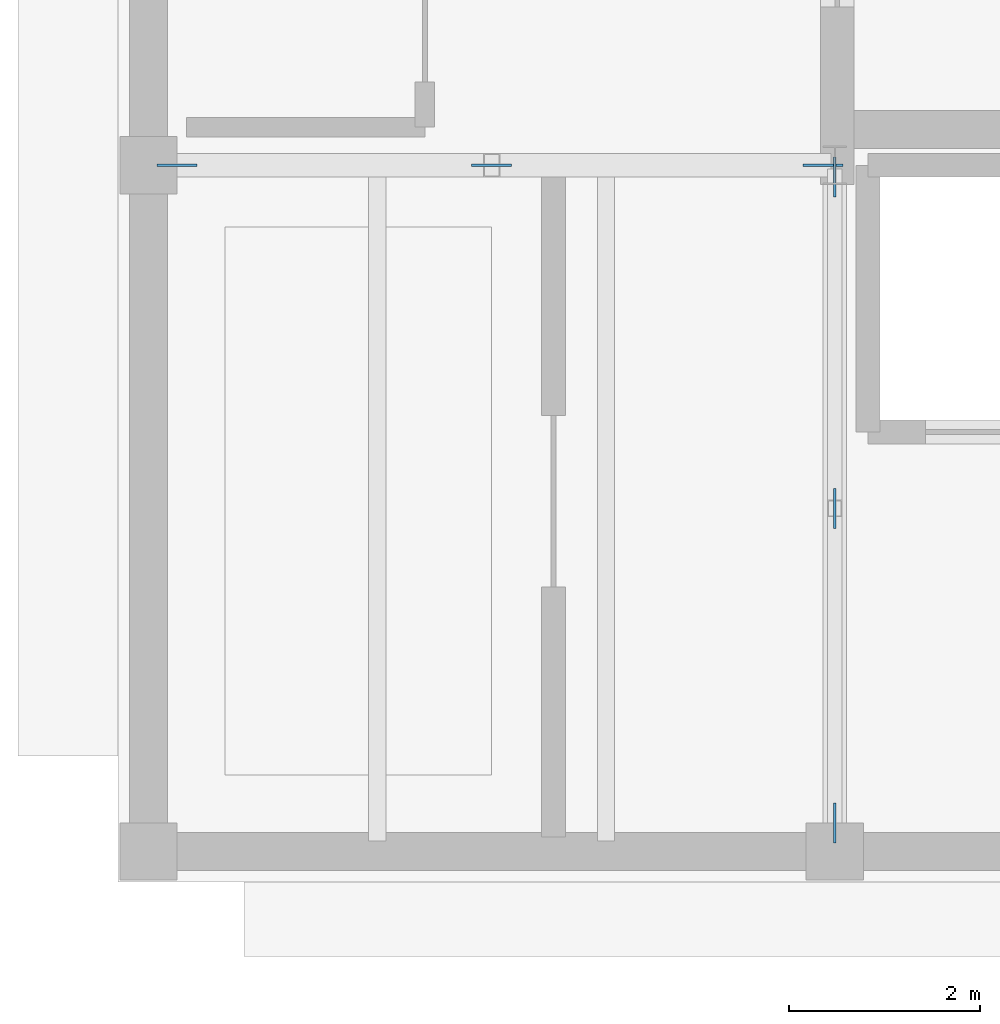
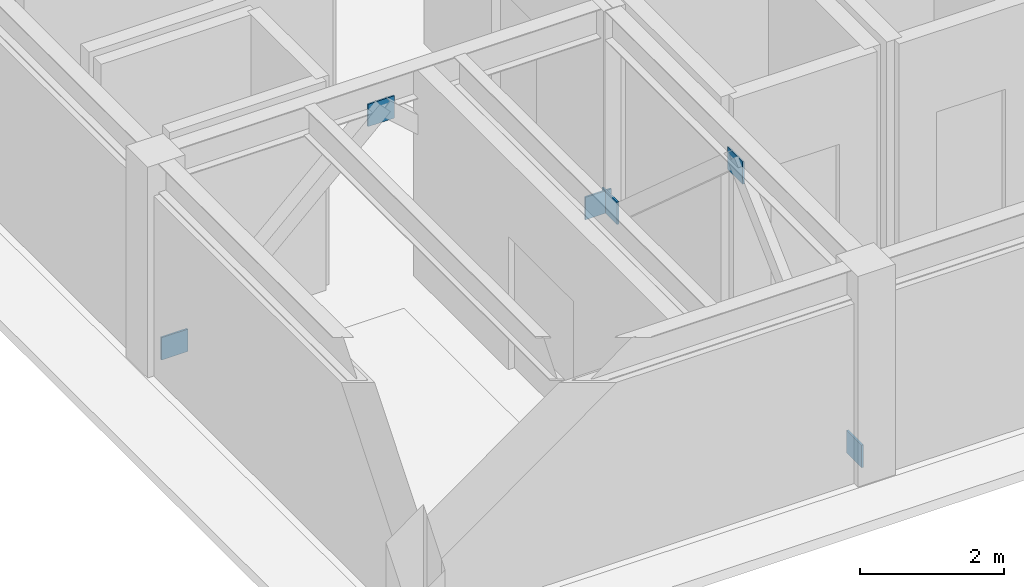
# One storey, part 6 of 8: 6 discrete accessories.
"""IFC4 building model written with IfcOpenShell, lengths in metres."""

import ifcopenshell
import ifcopenshell.guid

model = None  # the IFC model being written
_history = None  # IfcOwnerHistory: only IFC2X3 demands one
_inside = {}  # id of a spatial element -> (the spatial element, [elements in it])
_under = {}  # id of a project, library or spatial element -> (it, [spatial elements below it])
_declared = {}  # id of a project -> (the project, [libraries it declares])
_typed = {}  # id of a type object -> (the type object, [elements of that type])
_made_of = {}  # id of a material, layer set ... -> (it, [elements and type objects made of it])


def new_model(schema):
    """Start an empty IFC model of exactly this schema.

    Asked for "IFC4X3", IfcOpenShell would pick the latest addendum, in which some entities
    have other attributes; the version numbers below select the first issue.
    IFC2X3 requires an IfcOwnerHistory on every rooted entity: one is made here for all.
    """
    global model, _history
    if schema == "IFC4X3":
        model = ifcopenshell.file(schema_version=(4, 3, 0, 0))
    else:
        model = ifcopenshell.file(schema=schema)
    _inside.clear()
    _under.clear()
    _declared.clear()
    _typed.clear()
    _made_of.clear()
    _history = None
    if model.schema == "IFC2X3":
        org = make("IfcOrganization", Name="unknown")
        user = make(
            "IfcPersonAndOrganization",
            ThePerson=make("IfcPerson", FamilyName="unknown"),
            TheOrganization=org,
        )
        app = make(
            "IfcApplication",
            ApplicationDeveloper=org,
            Version="unknown",
            ApplicationFullName="unknown",
            ApplicationIdentifier="unknown",
        )
        _history = make(
            "IfcOwnerHistory",
            OwningUser=user,
            OwningApplication=app,
            ChangeAction="ADDED",
            CreationDate=0,
        )
    return model


def make(cls, **values):
    """One entity of the class cls with the attributes given. An attribute that is None is left unset."""
    return model.create_entity(
        cls, **{name: value for name, value in values.items() if value is not None}
    )


def rooted(cls, **values):
    """An entity with a GlobalId (a new one), such as an element, a storey or a relation."""
    return make(cls, GlobalId=ifcopenshell.guid.new(), OwnerHistory=_history, **values)


def si_unit(unit_type, name, prefix=None):
    """IfcSIUnit, for example si_unit("LENGTHUNIT", "METRE", prefix="MILLI")."""
    return make("IfcSIUnit", UnitType=unit_type, Prefix=prefix, Name=name)


def assignment(units):
    """IfcUnitAssignment: the units of a project."""
    return None if units is None else make("IfcUnitAssignment", Units=units)


def point(xyz):
    """IfcCartesianPoint."""
    return None if xyz is None else make("IfcCartesianPoint", Coordinates=xyz)


def direction(xyz):
    """IfcDirection."""
    return None if xyz is None else make("IfcDirection", DirectionRatios=xyz)


def frame(location, z_axis=None, x_axis=None):
    """IfcAxis2Placement3D, a coordinate frame: its origin and axes. An axis left out is left unset."""
    return make(
        "IfcAxis2Placement3D",
        Location=point(location),
        Axis=direction(z_axis),
        RefDirection=direction(x_axis),
    )


def frame_2d(location, x_axis=None):
    """IfcAxis2Placement2D, a coordinate frame in the plane: its origin and x axis."""
    return make(
        "IfcAxis2Placement2D", Location=point(location), RefDirection=direction(x_axis)
    )


def origin():
    """The frame at (0, 0, 0) with its axes left unset."""
    return frame((0.0, 0.0, 0.0))


def origin_2d():
    """The frame at (0, 0) in the plane with its x axis left unset."""
    return frame_2d((0.0, 0.0))


def place(relative_to, where):
    """IfcLocalPlacement: puts the frame where relative to a parent placement (None: the world)."""
    return make(
        "IfcLocalPlacement", PlacementRelTo=relative_to, RelativePlacement=where
    )


def context(
    kind, dimensions, precision=None, world=None, true_north=None, identifier=None
):
    """IfcGeometricRepresentationContext, for example the 3D "Model" context."""
    return make(
        "IfcGeometricRepresentationContext",
        ContextIdentifier=identifier,
        ContextType=kind,
        CoordinateSpaceDimension=dimensions,
        Precision=precision,
        WorldCoordinateSystem=world,
        TrueNorth=true_north,
    )


def subcontext(parent, identifier, kind, view, scale=None):
    """IfcGeometricRepresentationSubContext, for example "Body" below "Model"."""
    return make(
        "IfcGeometricRepresentationSubContext",
        ContextIdentifier=identifier,
        ContextType=kind,
        ParentContext=parent,
        TargetScale=scale,
        TargetView=view,
    )


def project(units=None, contexts=None):
    """IfcProject with its units and contexts."""
    return rooted(
        "IfcProject",
        Name="project",
        RepresentationContexts=contexts,
        UnitsInContext=assignment(units),
    )


def spatial(cls, under=None, at=None, **own):
    """A site, building, storey or space (cls), placed at a placement, below another one or the project."""
    s = rooted(cls, ObjectPlacement=at, **own)
    if under is not None:
        _under.setdefault(under.id(), (under, []))[1].append(s)
    return s


def profile(cls, at=None, kind="AREA", **sizes):
    """A parametric profile (cls). Its sizes go by their IFC names, for example OverallWidth=200.0."""
    return make(cls, ProfileType=kind, Position=at, **sizes)


def rectangle(**sizes):
    """IfcRectangleProfileDef."""
    return profile("IfcRectangleProfileDef", **sizes)


def extrude(swept, where, along, depth):
    """IfcExtrudedAreaSolid: the profile swept, set in the frame where, extruded along a direction by depth."""
    return make(
        "IfcExtrudedAreaSolid",
        SweptArea=swept,
        Position=where,
        ExtrudedDirection=direction(along),
        Depth=depth,
    )


def shape(context_of_items, identifier, shape_type, items):
    """IfcShapeRepresentation: the items that make up one representation, for example the "Body"."""
    return make(
        "IfcShapeRepresentation",
        ContextOfItems=context_of_items,
        RepresentationIdentifier=identifier,
        RepresentationType=shape_type,
        Items=items,
    )


def material(Name=None, Category=None):
    """IfcMaterial."""
    return make("IfcMaterial", Name=Name, Category=Category)


def made_of(thing, what):
    """Note that an element or type object is made of a material, layer set ...; save() writes the relation."""
    if what is not None:
        _made_of.setdefault(what.id(), (what, []))[1].append(thing)
    return thing


def type_object(cls, material=None, **own):
    """A type object (cls), such as IfcWallType, which elements share."""
    return made_of(rooted(cls, **own), material)


def element(
    cls,
    number,
    at=None,
    inside=None,
    cuts=None,
    type_object=None,
    material=None,
    context=None,
    identifier="Body",
    shape_type=None,
    held_by="IfcProductDefinitionShape",
    body=None,
    shapes=None,
    **own,
):
    """One element of the class cls, such as IfcWall. Its Tag is "e" and its number.

    at: its placement. inside: the storey or other place that contains it. cuts: it is an
    opening in that element (IfcRelVoidsElement). A single representation is given by context,
    identifier, shape_type and body (its items); several are given by shapes. held_by: the class
    of the entity that holds the representations. save() writes the other relations.
    """
    e = rooted(cls, Tag="e%d" % number, ObjectPlacement=at, **own)
    if body is not None:
        shapes = [shape(context, identifier, shape_type, body)]
    if shapes is not None:
        e.Representation = make(held_by, Representations=shapes)
    if inside is not None:
        _inside.setdefault(inside.id(), (inside, []))[1].append(e)
    if cuts is not None:
        rooted(
            "IfcRelVoidsElement", RelatingBuildingElement=cuts, RelatedOpeningElement=e
        )
    if type_object is not None:
        _typed.setdefault(type_object.id(), (type_object, []))[1].append(e)
    return made_of(e, material)


def aggregate(whole, parts):
    """IfcRelAggregates: a whole, such as a stair, and the parts it consists of."""
    return rooted("IfcRelAggregates", RelatingObject=whole, RelatedObjects=parts)


def save(model, path):
    """Write the relations noted so far, then the file.

    IfcRelAggregates (storeys below a building ...), IfcRelContainedInSpatialStructure (elements
    in a storey), IfcRelDefinesByType, IfcRelAssociatesMaterial and IfcRelDeclares: one each for
    every whole, place, type object, material and project.
    """
    for whole, parts in _under.values():
        aggregate(whole, parts)
    for where, things in _inside.values():
        rooted(
            "IfcRelContainedInSpatialStructure",
            RelatedElements=things,
            RelatingStructure=where,
        )
    for kind, things in _typed.values():
        rooted("IfcRelDefinesByType", RelatedObjects=things, RelatingType=kind)
    for what, things in _made_of.values():
        rooted("IfcRelAssociatesMaterial", RelatedObjects=things, RelatingMaterial=what)
    for by, libraries in _declared.values():
        rooted("IfcRelDeclares", RelatingContext=by, RelatedDefinitions=libraries)
    model.write(path)


model = new_model("IFC4")

# Units and contexts
model_context = context("Model", 3, precision=1e-05, world=origin(), true_north=direction((0.0, 1.0)))
body_context = subcontext(model_context, "Body", "Model", "MODEL_VIEW")
ifc_project = project(units=[si_unit("LENGTHUNIT", "METRE"), si_unit("AREAUNIT", "SQUARE_METRE"), si_unit("VOLUMEUNIT", "CUBIC_METRE"), si_unit("PLANEANGLEUNIT", "RADIAN"), si_unit("MASSUNIT", "GRAM", prefix="KILO")], contexts=[model_context])

# Site, building, storey
site_placement = place(None, origin())
site = spatial("IfcSite", under=ifc_project, at=site_placement, CompositionType="ELEMENT")
building_placement = place(site_placement, origin())
building = spatial("IfcBuilding", under=site, at=building_placement, Name="Kandorven Conservatory and Botanical Research Centre", CompositionType="ELEMENT")
storey_placement = place(building_placement, frame((0.0, 0.0, 32.699951171875)))
storey = spatial("IfcBuildingStorey", under=building, at=storey_placement, Name="L08", CompositionType="ELEMENT", Elevation=32.699951171875)

# Discrete accessories
ifc_material = material(Name="Steel S355 (IS 2062 E350)", Category="steel")
discrete_accessory_type = type_object("IfcDiscreteAccessoryType", Name="BraceGussetPlate", PredefinedType="BRACKET", material=ifc_material)
for number, where, z_axis, x_axis, name in (
    (1, (6.300048828125, 13.199951171875, -0.010009765625), (0.0, 0.0, 1.0), (1.0, 0.0, 0.0), "Welded chevron brace gusset plate L08 X-W"),
    (2, (9.60009765625, 13.199951171875, 2.780029296875), (0.0, 0.0, 1.0), (1.0, 0.0, 0.0), "Welded chevron brace gusset plate L08 X-M"),
    (3, (13.074951171875, 13.199951171875, -0.010009765625), (0.0, 0.0, 1.0), (1.0, 0.0, 0.0), "Welded chevron brace gusset plate L08 X-E"),
):
    element("IfcDiscreteAccessory", number, at=place(storey_placement, frame(where, z_axis=z_axis, x_axis=x_axis)), inside=storey, type_object=discrete_accessory_type, Name=name, PredefinedType="BRACKET", context=body_context, shape_type="SweptSolid", body=[
        extrude(rectangle(XDim=0.419921875, YDim=0.028076171875, at=origin_2d()), origin(), (0.0, 0.0, 1.0), 0.3798828125),
    ])
for number, where, z_axis, x_axis, name in (
    (4, (13.199951171875, 6.300048828125, -0.010009765625), (0.0, 0.0, 1.0), (1.0, 0.0, 0.0), "Welded chevron brace gusset plate L08 Y-S"),
    (5, (13.199951171875, 9.60009765625, 2.780029296875), (0.0, 0.0, 1.0), (1.0, 0.0, 0.0), "Welded chevron brace gusset plate L08 Y-M"),
    (6, (13.199951171875, 13.074951171875, -0.010009765625), (0.0, 0.0, 1.0), (1.0, 0.0, 0.0), "Welded chevron brace gusset plate L08 Y-N"),
):
    element("IfcDiscreteAccessory", number, at=place(storey_placement, frame(where, z_axis=z_axis, x_axis=x_axis)), inside=storey, type_object=discrete_accessory_type, Name=name, PredefinedType="BRACKET", context=body_context, shape_type="SweptSolid", body=[
        extrude(rectangle(XDim=0.028076171875, YDim=0.419921875, at=origin_2d()), origin(), (0.0, 0.0, 1.0), 0.3798828125),
    ])

save(model, "model.ifc")
